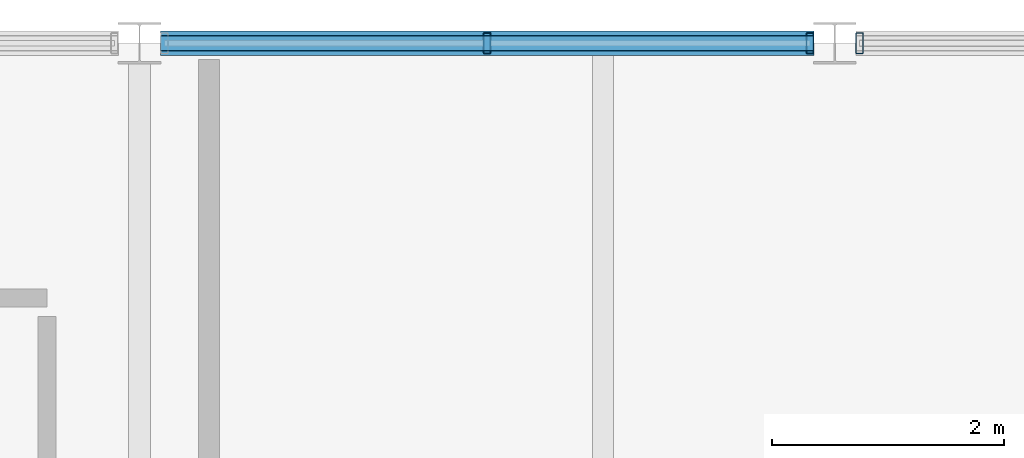
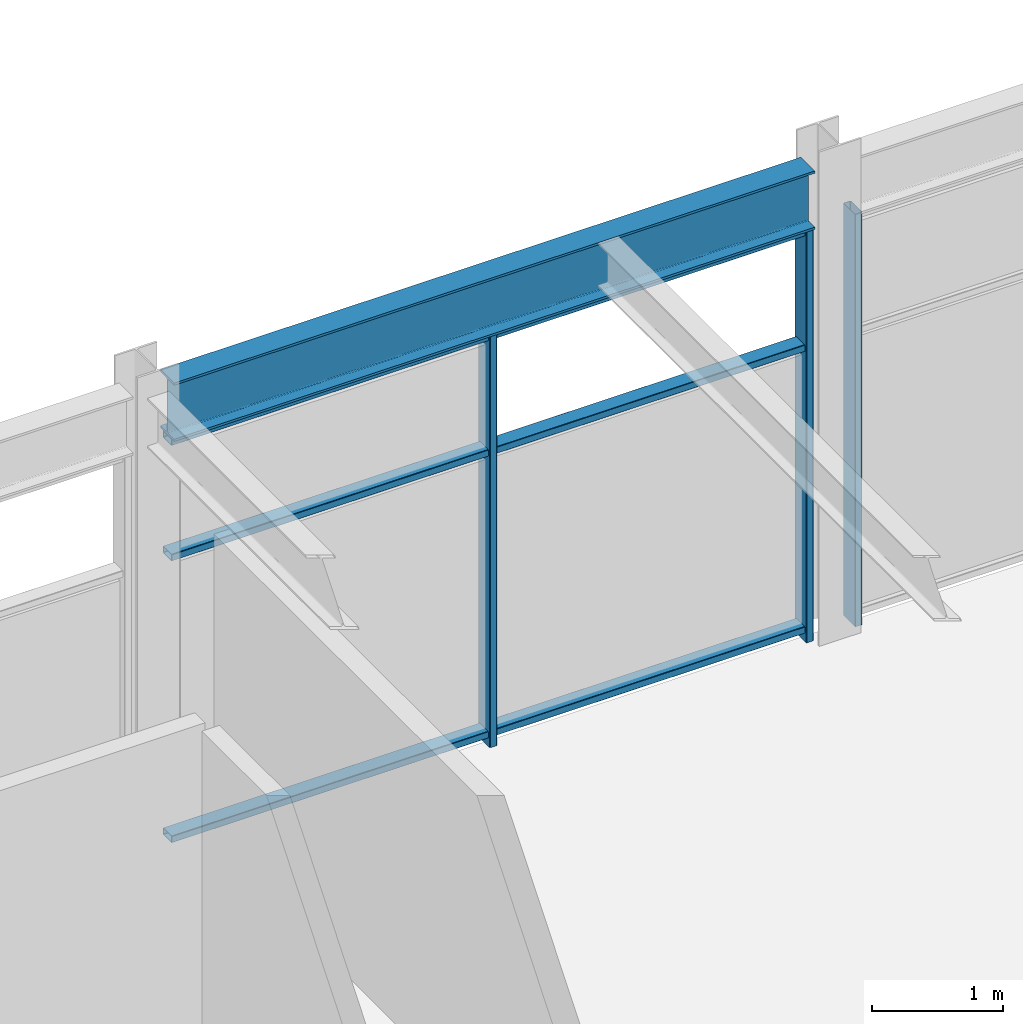
# One storey, part 12 of 28: 6 members, 1 beam, 2 elements without a shape of their own.
"""IFC4 building model written with IfcOpenShell, lengths in metres."""

from ifc_helpers import new_model, si_unit, direction, frame, origin, origin_2d, place, context, subcontext, project, spatial, hollow_rectangle, i_section, extrude, material, material_profile, profile_set, type_object, element, aggregate, save


model = new_model("IFC4")

# Units and contexts
model_context = context("Model", 3, precision=1e-05, world=origin(), true_north=direction((0.0, 1.0)))
body_context = subcontext(model_context, "Body", "Model", "MODEL_VIEW")
ifc_project = project(units=[si_unit("LENGTHUNIT", "METRE"), si_unit("AREAUNIT", "SQUARE_METRE"), si_unit("VOLUMEUNIT", "CUBIC_METRE"), si_unit("PLANEANGLEUNIT", "RADIAN"), si_unit("MASSUNIT", "GRAM", prefix="KILO")], contexts=[model_context])

# Site, building, storey
site_placement = place(None, origin())
site = spatial("IfcSite", under=ifc_project, at=site_placement, CompositionType="ELEMENT")
building_placement = place(site_placement, origin())
building = spatial("IfcBuilding", under=site, at=building_placement, Name="Girod Span Mobility Hub", CompositionType="ELEMENT")
storey_placement = place(building_placement, frame((0.0, 0.0, 69.60009765625)))
storey = spatial("IfcBuildingStorey", under=building, at=storey_placement, Name="L17", CompositionType="ELEMENT", Elevation=69.60009765625)

# Beam
ifc_material_1 = material(Name="Steel A992 Grade 50", Category="steel")
ifc_material_profile_1 = material_profile(ifc_material_1, i_section(OverallWidth=0.2119140625, OverallDepth=0.5439453125, WebThickness=0.01318359375, FlangeThickness=0.021240234375, FilletRadius=0.014892578125, at=origin_2d()), Name="W21X83")
ifc_profile_set_1 = profile_set([ifc_material_profile_1], Name="Steel A992 Grade 50")
beam_type = type_object("IfcBeamType", Name="BM-STL-W21X83", PredefinedType="SPANDREL", material=ifc_profile_set_1)
beam_placement = place(storey_placement, frame((72.181396484375, 69.0, 4.10791015625), z_axis=(1.0, 0.0, 0.0), x_axis=(0.0, 1.0, 0.0)))
element("IfcBeam", 1, at=beam_placement, inside=storey, type_object=beam_type, Name="Spandrel Beam 7-8/F-W L17", PredefinedType="SPANDREL", context=body_context, shape_type="SweptSolid", body=[
    extrude(i_section(OverallWidth=0.2119140625, OverallDepth=0.5439453125, WebThickness=0.01318359375, FlangeThickness=0.021240234375, FilletRadius=0.014892578125, at=origin_2d()), origin(), (0.0, 0.0, 1.0), 5.63720703125),
])

# Curtain wall, members
ifc_material_2 = material(Name="Thermally Broken Anodised Aluminium", Category="aluminium")
curtain_wall_type = type_object("IfcCurtainWallType", Name="CW-564X384", PredefinedType="USERDEFINED", material=ifc_material_2)
curtain_wall_1_placement = place(storey_placement, origin())
curtain_wall_1 = element("IfcCurtainWall", 2, at=curtain_wall_1_placement, inside=storey, type_object=curtain_wall_type, Name="Unitised Curtain Wall CW-L17-N07W L17", ObjectType="UNITISED CURTAIN WALL", PredefinedType="USERDEFINED")
ifc_material_3 = material(Name="Thermally Broken Anodised Aluminium", Category="aluminium")
ifc_material_profile_2 = material_profile(ifc_material_3, hollow_rectangle(XDim=0.179931640625, YDim=0.06494140625, WallThickness=0.00390625, InnerFilletRadius=0.00390625, OuterFilletRadius=0.008056640625, at=origin_2d()), Name="CW-ML-65X180")
ifc_profile_set_2 = profile_set([ifc_material_profile_2], Name="Thermally Broken Anodised Aluminium")
member_type_1 = type_object("IfcMemberType", Name="CWM-ML-2", PredefinedType="MULLION", material=ifc_profile_set_2)
member_1_placement = place(storey_placement, frame((75.0, 69.0, 0.0), z_axis=(0.0, 0.0, 1.0), x_axis=(0.0, 1.0, 0.0)))
member_1 = element("IfcMember", 3, at=member_1_placement, type_object=member_type_1, Name="Curtain Wall Mullion CW-L17-N07W-M1", PredefinedType="MULLION", context=body_context, shape_type="SweptSolid", body=[
    extrude(hollow_rectangle(XDim=0.179931640625, YDim=0.06494140625, WallThickness=0.00390625, InnerFilletRadius=0.00390625, OuterFilletRadius=0.008056640625, at=origin_2d()), origin(), (0.0, 0.0, 1.0), 3.8359375),
])
member_2_placement = place(storey_placement, frame((77.785400390625, 69.0, 0.0), z_axis=(0.0, 0.0, 1.0), x_axis=(0.0, 1.0, 0.0)))
member_2 = element("IfcMember", 4, at=member_2_placement, type_object=member_type_1, Name="Curtain Wall Mullion CW-L17-N07W-M2", PredefinedType="MULLION", context=body_context, shape_type="SweptSolid", body=[
    extrude(hollow_rectangle(XDim=0.179931640625, YDim=0.06494140625, WallThickness=0.00390625, InnerFilletRadius=0.00390625, OuterFilletRadius=0.008056640625, at=origin_2d()), origin(), (0.0, 0.0, 1.0), 3.8359375),
])

# Curtain wall, member
curtain_wall_2_placement = place(storey_placement, origin())
curtain_wall_2 = element("IfcCurtainWall", 5, at=curtain_wall_2_placement, inside=storey, type_object=curtain_wall_type, Name="Unitised Curtain Wall CW-L17-N07E L17", ObjectType="UNITISED CURTAIN WALL", PredefinedType="USERDEFINED")
member_3_placement = place(storey_placement, frame((78.214599609375, 69.0, 0.0), z_axis=(0.0, 0.0, 1.0), x_axis=(0.0, 1.0, 0.0)))
member_3 = element("IfcMember", 6, at=member_3_placement, type_object=member_type_1, Name="Curtain Wall Mullion CW-L17-N07E-M0", PredefinedType="MULLION", context=body_context, shape_type="SweptSolid", body=[
    extrude(hollow_rectangle(XDim=0.179931640625, YDim=0.06494140625, WallThickness=0.00390625, InnerFilletRadius=0.00390625, OuterFilletRadius=0.008056640625, at=origin_2d()), origin(), (0.0, 0.0, 1.0), 3.8359375),
])
aggregate(curtain_wall_2, [member_3])

# Member
ifc_material_4 = material(Name="Thermally Broken Anodised Aluminium", Category="aluminium")
ifc_material_profile_3 = material_profile(ifc_material_4, hollow_rectangle(XDim=0.135009765625, YDim=0.06494140625, WallThickness=0.00390625, InnerFilletRadius=0.00390625, OuterFilletRadius=0.008056640625, at=origin_2d()), Name="CW-TR-65X135")
ifc_profile_set_3 = profile_set([ifc_material_profile_3], Name="Thermally Broken Anodised Aluminium")
member_type_2 = type_object("IfcMemberType", Name="CWM-TR-2", PredefinedType="USERDEFINED", material=ifc_profile_set_3)
member_4_placement = place(storey_placement, frame((72.1826171875, 69.0, 0.107421875), z_axis=(1.0, 0.0, 0.0), x_axis=(0.0, 1.0, 0.0)))
member_4 = element("IfcMember", 7, at=member_4_placement, type_object=member_type_2, Name="Curtain Wall Transom CW-L17-N07W-T1", ObjectType="TRANSOM", PredefinedType="USERDEFINED", context=body_context, shape_type="SweptSolid", body=[
    extrude(hollow_rectangle(XDim=0.135009765625, YDim=0.06494140625, WallThickness=0.00390625, InnerFilletRadius=0.00390625, OuterFilletRadius=0.008056640625, at=origin_2d()), origin(), (0.0, 0.0, 1.0), 5.634765625),
])

member_5_placement = place(storey_placement, frame((72.1826171875, 69.0, 2.729248046875), z_axis=(1.0, 0.0, 0.0), x_axis=(0.0, 1.0, 0.0)))
member_5 = element("IfcMember", 8, at=member_5_placement, type_object=member_type_2, Name="Curtain Wall Transom CW-L17-N07W-T2", ObjectType="TRANSOM", PredefinedType="USERDEFINED", context=body_context, shape_type="SweptSolid", body=[
    extrude(hollow_rectangle(XDim=0.135009765625, YDim=0.06494140625, WallThickness=0.00390625, InnerFilletRadius=0.00390625, OuterFilletRadius=0.008056640625, at=origin_2d()), origin(), (0.0, 0.0, 1.0), 5.634765625),
])

member_6_placement = place(storey_placement, frame((72.1826171875, 69.0, 3.803466796875), z_axis=(1.0, 0.0, 0.0), x_axis=(0.0, 1.0, 0.0)))
member_6 = element("IfcMember", 9, at=member_6_placement, type_object=member_type_2, Name="Curtain Wall Transom CW-L17-N07W-T3", ObjectType="TRANSOM", PredefinedType="USERDEFINED", context=body_context, shape_type="SweptSolid", body=[
    extrude(hollow_rectangle(XDim=0.135009765625, YDim=0.06494140625, WallThickness=0.00390625, InnerFilletRadius=0.00390625, OuterFilletRadius=0.008056640625, at=origin_2d()), origin(), (0.0, 0.0, 1.0), 5.634765625),
])

aggregate(curtain_wall_1, [member_1, member_2, member_4, member_5, member_6])

save(model, "model.ifc")
